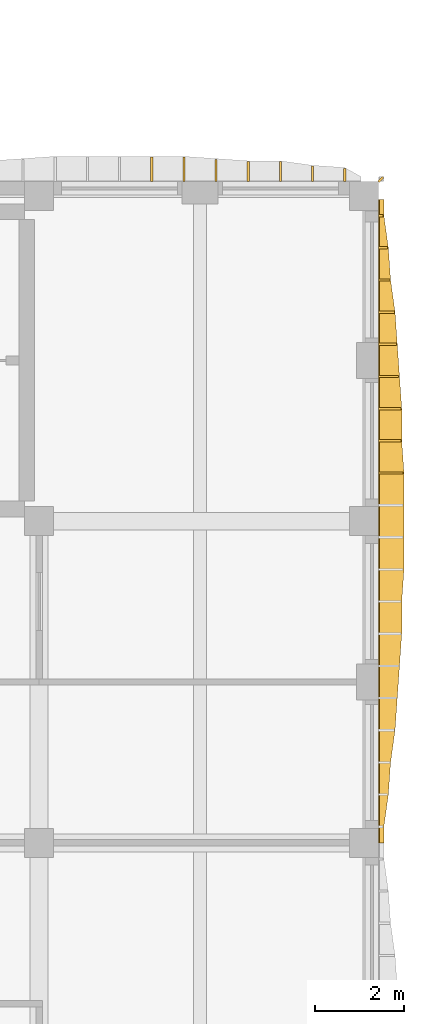
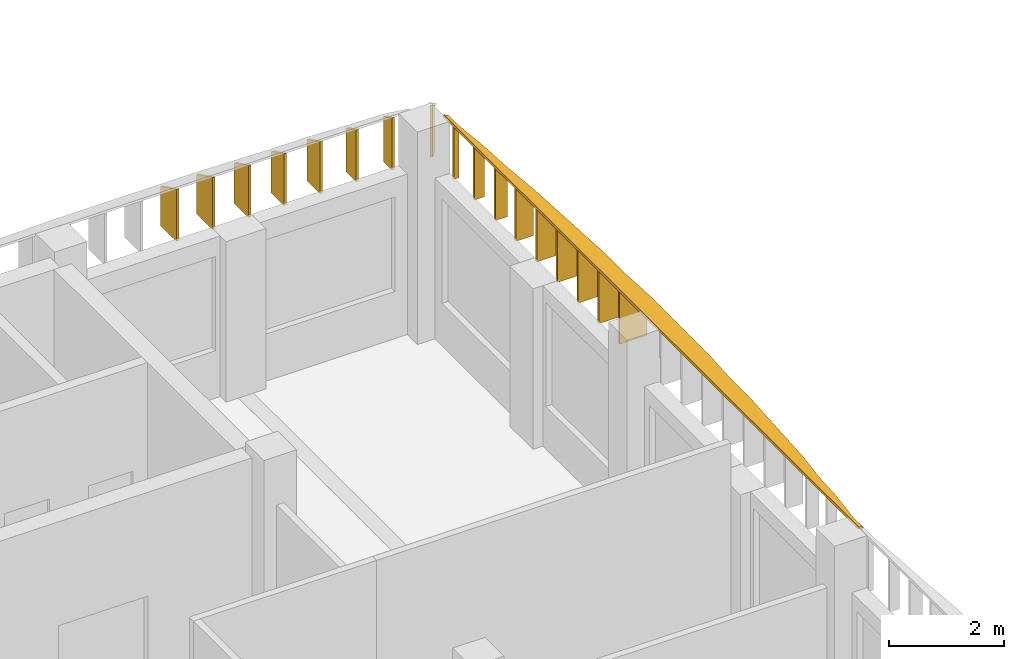
# One storey, part 17 of 24: 18 shading devices.
"""IFC4 building model written with IfcOpenShell, lengths in metres."""

from ifc_helpers import new_model, si_unit, direction, frame, origin, place, context, subcontext, project, spatial, polyline, outline, extrude, material, layer, layer_set, type_object, element, save


model = new_model("IFC4")

# Units and contexts
model_context = context("Model", 3, precision=1e-05, world=origin(), true_north=direction((0.0, 1.0)))
body_context = subcontext(model_context, "Body", "Model", "MODEL_VIEW")
ifc_project = project(units=[si_unit("LENGTHUNIT", "METRE"), si_unit("AREAUNIT", "SQUARE_METRE"), si_unit("VOLUMEUNIT", "CUBIC_METRE"), si_unit("PLANEANGLEUNIT", "RADIAN"), si_unit("MASSUNIT", "GRAM", prefix="KILO")], contexts=[model_context])

# Site, building, storey
site_placement = place(None, origin())
site = spatial("IfcSite", under=ifc_project, at=site_placement, CompositionType="ELEMENT")
building_placement = place(site_placement, origin())
building = spatial("IfcBuilding", under=site, at=building_placement, Name="Ussher Court Research Institute", CompositionType="ELEMENT")
storey_placement = place(building_placement, frame((0.0, 0.0, 32.39990234375)))
storey = spatial("IfcBuildingStorey", under=building, at=storey_placement, Name="L07", CompositionType="ELEMENT", Elevation=32.39990234375)

# Shading devices
ifc_material_1 = material(Name="Bronze anodised aluminium", Category="aluminium")
ifc_layer_1 = layer(ifc_material_1, 0.050048828125)
ifc_layer_set_1 = layer_set([ifc_layer_1], Name="Bronze anodised aluminium")
shading_device_type_1 = type_object("IfcShadingDeviceType", Name="Brim blade 100 mm deep 1100 mm high canted 26 deg wet", PredefinedType="USERDEFINED", material=ifc_layer_set_1)
shading_device_1_placement = place(storey_placement, frame((104.199951171875, 32.43994140625, 3.35009765625), z_axis=(0.0, 0.0, 1.0), x_axis=(1.0, 0.0, 0.0)))
element("IfcShadingDevice", 1, at=shading_device_1_placement, inside=storey, type_object=shading_device_type_1, Name="Brim blade BS10 L07", ObjectType="BLADE", PredefinedType="USERDEFINED", context=body_context, shape_type="SweptSolid", body=[
    extrude(outline(polyline([(0.0, 0.0), (0.10009765625, 0.0), (0.10009765625, 1.05126953125), (0.0, 1.10009765625), (0.0, 0.0)])), frame((0.0, 0.02490234375, 0.0), z_axis=(0.0, -1.0, 0.0), x_axis=(1.0, 0.0, 0.0)), (0.0, 0.0, 1.0), 0.050048828125),
])
ifc_material_2 = material(Name="Bronze anodised aluminium", Category="aluminium")
ifc_layer_2 = layer(ifc_material_2, 0.050048828125)
ifc_layer_set_2 = layer_set([ifc_layer_2], Name="Bronze anodised aluminium")
shading_device_type_2 = type_object("IfcShadingDeviceType", Name="Brim blade 200 mm deep 1100 mm high canted 26 deg wet", PredefinedType="USERDEFINED", material=ifc_layer_set_2)
shading_device_2_placement = place(storey_placement, frame((104.199951171875, 31.719970703125, 3.35009765625), z_axis=(0.0, 0.0, 1.0), x_axis=(1.0, 0.0, 0.0)))
element("IfcShadingDevice", 2, at=shading_device_2_placement, inside=storey, type_object=shading_device_type_2, Name="Brim blade BS08 L07", ObjectType="BLADE", PredefinedType="USERDEFINED", context=body_context, shape_type="SweptSolid", body=[
    extrude(outline(polyline([(0.0, 0.0), (0.199951171875, 0.0), (0.199951171875, 1.00244140625), (0.0, 1.10009765625), (0.0, 0.0)])), frame((0.0, 0.02490234375, 0.0), z_axis=(0.0, -1.0, 0.0), x_axis=(1.0, 0.0, 0.0)), (0.0, 0.0, 1.0), 0.050048828125),
])
ifc_material_3 = material(Name="Bronze anodised aluminium", Category="aluminium")
ifc_layer_3 = layer(ifc_material_3, 0.050048828125)
ifc_layer_set_3 = layer_set([ifc_layer_3], Name="Bronze anodised aluminium")
shading_device_type_3 = type_object("IfcShadingDeviceType", Name="Brim blade 250 mm deep 1100 mm high canted 26 deg wet", PredefinedType="USERDEFINED", material=ifc_layer_set_3)
shading_device_3_placement = place(storey_placement, frame((104.199951171875, 31.0, 3.35009765625), z_axis=(0.0, 0.0, 1.0), x_axis=(1.0, 0.0, 0.0)))
element("IfcShadingDevice", 3, at=shading_device_3_placement, inside=storey, type_object=shading_device_type_3, Name="Brim blade BS07 L07", ObjectType="BLADE", PredefinedType="USERDEFINED", context=body_context, shape_type="SweptSolid", body=[
    extrude(outline(polyline([(0.0, 0.0), (0.25, 0.0), (0.25, 0.97802734375), (0.0, 1.10009765625), (0.0, 0.0)])), frame((0.0, 0.02490234375, 0.0), z_axis=(0.0, -1.0, 0.0), x_axis=(1.0, 0.0, 0.0)), (0.0, 0.0, 1.0), 0.050048828125),
])
ifc_material_4 = material(Name="Bronze anodised aluminium", Category="aluminium")
ifc_layer_4 = layer(ifc_material_4, 0.050048828125)
ifc_layer_set_4 = layer_set([ifc_layer_4], Name="Bronze anodised aluminium")
shading_device_type_4 = type_object("IfcShadingDeviceType", Name="Brim blade 300 mm deep 1100 mm high canted 26 deg wet", PredefinedType="USERDEFINED", material=ifc_layer_set_4)
shading_device_4_placement = place(storey_placement, frame((103.43994140625, 33.199951171875, 3.35009765625), z_axis=(0.0, 0.0, 1.0), x_axis=(0.0, 1.0, 0.0)))
element("IfcShadingDevice", 4, at=shading_device_4_placement, inside=storey, type_object=shading_device_type_4, Name="Brim blade BS06 L07", ObjectType="BLADE", PredefinedType="USERDEFINED", context=body_context, shape_type="SweptSolid", body=[
    extrude(outline(polyline([(0.0, 0.0), (0.300048828125, 0.0), (0.300048828125, 0.95361328125), (0.0, 1.10009765625), (0.0, 0.0)])), frame((0.0, 0.02490234375, 0.0), z_axis=(0.0, -1.0, 0.0), x_axis=(1.0, 0.0, 0.0)), (0.0, 0.0, 1.0), 0.050048828125),
])
ifc_material_5 = material(Name="Bronze anodised aluminium", Category="aluminium")
ifc_layer_5 = layer(ifc_material_5, 0.050048828125)
ifc_layer_set_5 = layer_set([ifc_layer_5], Name="Bronze anodised aluminium")
shading_device_type_5 = type_object("IfcShadingDeviceType", Name="Brim blade 350 mm deep 1100 mm high canted 26 deg wet", PredefinedType="USERDEFINED", material=ifc_layer_set_5)
for number, where, z_axis, x_axis, name in (
    (5, (104.199951171875, 30.280029296875, 3.35009765625), (0.0, 0.0, 1.0), (1.0, 0.0, 0.0), "Brim blade BS05 L07"),
    (6, (102.719970703125, 33.199951171875, 3.35009765625), (0.0, 0.0, 1.0), (0.0, 1.0, 0.0), "Brim blade BS05 L07"),
):
    element("IfcShadingDevice", number, at=place(storey_placement, frame(where, z_axis=z_axis, x_axis=x_axis)), inside=storey, type_object=shading_device_type_5, Name=name, ObjectType="BLADE", PredefinedType="USERDEFINED", context=body_context, shape_type="SweptSolid", body=[
        extrude(outline(polyline([(0.0, 0.0), (0.35009765625, 0.0), (0.35009765625, 0.92919921875), (0.0, 1.10009765625), (0.0, 0.0)])), frame((0.0, 0.02490234375, 0.0), z_axis=(0.0, -1.0, 0.0), x_axis=(1.0, 0.0, 0.0)), (0.0, 0.0, 1.0), 0.050048828125),
    ])
ifc_material_6 = material(Name="Bronze anodised aluminium", Category="aluminium")
ifc_layer_6 = layer(ifc_material_6, 0.050048828125)
ifc_layer_set_6 = layer_set([ifc_layer_6], Name="Bronze anodised aluminium")
shading_device_type_6 = type_object("IfcShadingDeviceType", Name="Brim blade 400 mm deep 1100 mm high canted 26 deg wet", PredefinedType="USERDEFINED", material=ifc_layer_set_6)
shading_device_5_placement = place(storey_placement, frame((104.199951171875, 29.56005859375, 3.35009765625), z_axis=(0.0, 0.0, 1.0), x_axis=(1.0, 0.0, 0.0)))
element("IfcShadingDevice", 7, at=shading_device_5_placement, inside=storey, type_object=shading_device_type_6, Name="Brim blade BS04 L07", ObjectType="BLADE", PredefinedType="USERDEFINED", context=body_context, shape_type="SweptSolid", body=[
    extrude(outline(polyline([(0.0, 0.0), (0.400146484375, 0.0), (0.39990234375, 0.90478515625), (0.0, 1.10009765625), (0.0, 0.0)])), frame((0.0, 0.02490234375, 0.0), z_axis=(0.0, -1.0, 0.0), x_axis=(1.0, 0.0, 0.0)), (0.0, 0.0, 1.0), 0.050048828125),
])
ifc_material_7 = material(Name="Bronze anodised aluminium", Category="aluminium")
ifc_layer_7 = layer(ifc_material_7, 0.050048828125)
ifc_layer_set_7 = layer_set([ifc_layer_7], Name="Bronze anodised aluminium")
shading_device_type_7 = type_object("IfcShadingDeviceType", Name="Brim blade 450 mm deep 1100 mm high canted 26 deg wet", PredefinedType="USERDEFINED", material=ifc_layer_set_7)
for number, where, z_axis, x_axis, name in (
    (8, (104.199951171875, 28.840087890625, 3.35009765625), (0.0, 0.0, 1.0), (1.0, 0.0, 0.0), "Brim blade BS03 L07"),
    (9, (101.280029296875, 33.199951171875, 3.35009765625), (0.0, 0.0, 1.0), (0.0, 1.0, 0.0), "Brim blade BS03 L07"),
    (10, (102.0, 33.199951171875, 3.35009765625), (0.0, 0.0, 1.0), (0.0, 1.0, 0.0), "Brim blade BS03 L07"),
):
    element("IfcShadingDevice", number, at=place(storey_placement, frame(where, z_axis=z_axis, x_axis=x_axis)), inside=storey, type_object=shading_device_type_7, Name=name, ObjectType="BLADE", PredefinedType="USERDEFINED", context=body_context, shape_type="SweptSolid", body=[
        extrude(outline(polyline([(0.0, 0.0), (0.449951171875, 0.0), (0.449951171875, 0.880615234375), (0.0, 1.10009765625), (0.0, 0.0)])), frame((0.0, 0.02490234375, 0.0), z_axis=(0.0, -1.0, 0.0), x_axis=(1.0, 0.0, 0.0)), (0.0, 0.0, 1.0), 0.050048828125),
    ])
ifc_material_8 = material(Name="Bronze anodised aluminium", Category="aluminium")
ifc_layer_8 = layer(ifc_material_8, 0.050048828125)
ifc_layer_set_8 = layer_set([ifc_layer_8], Name="Bronze anodised aluminium")
shading_device_type_8 = type_object("IfcShadingDeviceType", Name="Brim blade 500 mm deep 1100 mm high canted 26 deg wet", PredefinedType="USERDEFINED", material=ifc_layer_set_8)
for number, where, z_axis, x_axis, name in (
    (11, (104.199951171875, 28.1201171875, 3.35009765625), (0.0, 0.0, 1.0), (1.0, 0.0, 0.0), "Brim blade BS02 L07"),
    (12, (104.199951171875, 27.39990234375, 3.35009765625), (0.0, 0.0, 1.0), (1.0, 0.0, 0.0), "Brim blade BS02 L07"),
    (13, (100.56005859375, 33.199951171875, 3.35009765625), (0.0, 0.0, 1.0), (0.0, 1.0, 0.0), "Brim blade BS02 L07"),
):
    element("IfcShadingDevice", number, at=place(storey_placement, frame(where, z_axis=z_axis, x_axis=x_axis)), inside=storey, type_object=shading_device_type_8, Name=name, ObjectType="BLADE", PredefinedType="USERDEFINED", context=body_context, shape_type="SweptSolid", body=[
        extrude(outline(polyline([(0.0, 0.0), (0.5, 0.0), (0.5, 0.856201171875), (0.0, 1.10009765625), (0.0, 0.0)])), frame((0.0, 0.02490234375, 0.0), z_axis=(0.0, -1.0, 0.0), x_axis=(1.0, 0.0, 0.0)), (0.0, 0.0, 1.0), 0.050048828125),
    ])
ifc_material_9 = material(Name="Bronze anodised aluminium", Category="aluminium")
ifc_layer_9 = layer(ifc_material_9, 0.050048828125)
ifc_layer_set_9 = layer_set([ifc_layer_9], Name="Bronze anodised aluminium")
shading_device_type_9 = type_object("IfcShadingDeviceType", Name="Brim blade 550 mm deep 1100 mm high canted 26 deg wet", PredefinedType="USERDEFINED", material=ifc_layer_set_9)
for number, where, z_axis, x_axis, name in (
    (14, (104.199951171875, 26.679931640625, 3.35009765625), (0.0, 0.0, 1.0), (1.0, 0.0, 0.0), "Brim blade BS01 L07"),
    (15, (99.1201171875, 33.199951171875, 3.35009765625), (0.0, 0.0, 1.0), (0.0, 1.0, 0.0), "Brim blade BS01 L07"),
    (16, (99.840087890625, 33.199951171875, 3.35009765625), (0.0, 0.0, 1.0), (0.0, 1.0, 0.0), "Brim blade BS01 L07"),
):
    element("IfcShadingDevice", number, at=place(storey_placement, frame(where, z_axis=z_axis, x_axis=x_axis)), inside=storey, type_object=shading_device_type_9, Name=name, ObjectType="BLADE", PredefinedType="USERDEFINED", context=body_context, shape_type="SweptSolid", body=[
        extrude(outline(polyline([(0.0, 0.0), (0.550048828125, 0.0), (0.550048828125, 0.831787109375), (0.0, 1.10009765625), (0.0, 0.0)])), frame((0.0, 0.02490234375, 0.0), z_axis=(0.0, -1.0, 0.0), x_axis=(1.0, 0.0, 0.0)), (0.0, 0.0, 1.0), 0.050048828125),
    ])
ifc_material_10 = material(Name="Bronze anodised aluminium", Category="aluminium")
ifc_layer_10 = layer(ifc_material_10, 0.050048828125)
ifc_layer_set_10 = layer_set([ifc_layer_10], Name="Bronze anodised aluminium")
shading_device_type_10 = type_object("IfcShadingDeviceType", Name="Brim mitre blade 100 mm deep 1100 mm high canted 26 deg wet", PredefinedType="USERDEFINED", material=ifc_layer_set_10)
shading_device_6_placement = place(storey_placement, frame((104.199951171875, 33.199951171875, 3.35009765625), z_axis=(0.0, 0.0, 1.0), x_axis=(0.707106781187, 0.707106781187, 0.0)))
element("IfcShadingDevice", 17, at=shading_device_6_placement, inside=storey, type_object=shading_device_type_10, Name="Brim mitre blade BS18 L07", ObjectType="BLADE", PredefinedType="USERDEFINED", context=body_context, shape_type="SweptSolid", body=[
    extrude(outline(polyline([(0.0, 0.0), (0.1416015625, 0.0), (0.141357421875, 1.00244140625), (0.0, 1.10009765625), (0.0, 0.0)])), frame((0.0, 0.02490234375, 0.0), z_axis=(0.0, -1.0, 0.0), x_axis=(1.0, 0.0, 0.0)), (0.0, 0.0, 1.0), 0.050048828125),
])
ifc_material_11 = material(Name="Bronze anodised aluminium", Category="aluminium")
ifc_layer_11 = layer(ifc_material_11, 0.0400390625)
ifc_layer_set_11 = layer_set([ifc_layer_11], Name="Bronze anodised aluminium")
shading_device_type_11 = type_object("IfcShadingDeviceType", Name="Brim visor sheet 40 mm canted 26 deg wet", PredefinedType="USERDEFINED", material=ifc_layer_set_11)
shading_device_7_placement = place(storey_placement, frame((104.217529296875, 32.800048828125, 4.486083984375), z_axis=(0.438529184396, 0.0, 0.898716949007), x_axis=(0.0, -1.0, 0.0)))
element("IfcShadingDevice", 18, at=shading_device_7_placement, inside=storey, type_object=shading_device_type_11, Name="Brim visor sheet BR1 L07", ObjectType="BRIM", PredefinedType="USERDEFINED", context=body_context, shape_type="SweptSolid", body=[
    extrude(outline(polyline([(0.0, 0.0), (14.400146484375, 0.0), (14.400146484375, 0.11115260474198813), (14.0400390625, 0.11115260474198813), (13.320068359375, 0.22252462280160495), (12.60009765625, 0.27821063183141337), (11.880126953125, 0.3893632365734015), (11.16015625, 0.4449421828140506), (10.43994140625, 0.5006281918438591), (9.719970703125, 0.5563142008736675), (9.0, 0.5563142008736675), (8.280029296875, 0.6120002099034759), (7.56005859375, 0.6120002099034759), (6.840087890625, 0.6120002099034759), (6.1201171875, 0.6120002099034759), (5.400146484375, 0.5563142008736675), (4.679931640625, 0.5563142008736675), (3.9599609375, 0.5006281918438591), (3.239990234375, 0.4449421828140506), (2.52001953125, 0.3893632365734015), (1.800048828125, 0.27821063183141337), (1.080078125, 0.22252462280160495), (0.360107421875, 0.11115260474198813), (0.0, 0.11115260474198813), (0.0, 0.0)])), origin(), (0.0, 0.0, -1.0), 0.0400390625),
])

save(model, "model.ifc")
